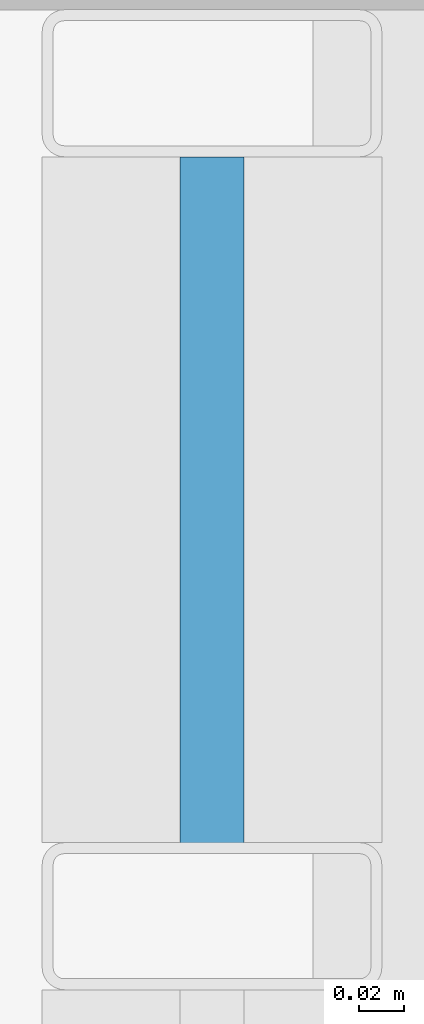
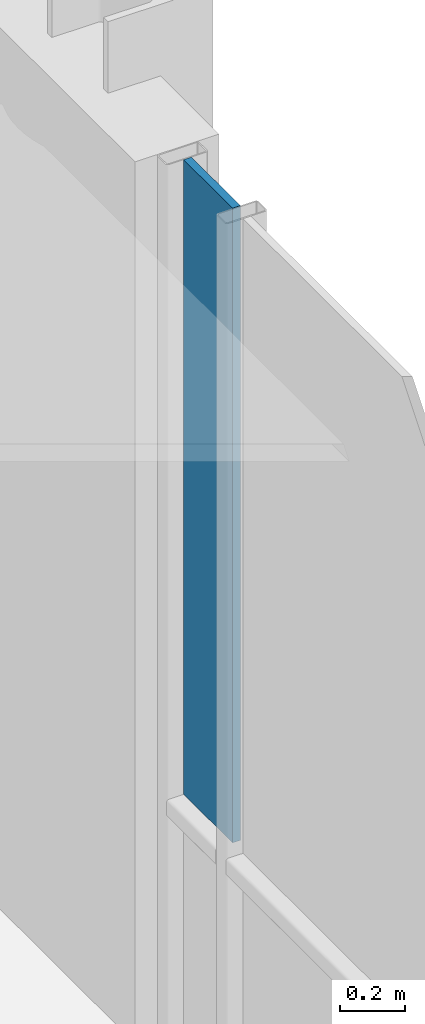
# One storey, part 23 of 35: 1 plate, 1 element without a shape of its own.
"""IFC4 building model written with IfcOpenShell, lengths in metres."""

from ifc_helpers import new_model, si_unit, direction, frame, origin, origin_2d, place, context, subcontext, project, spatial, rectangle, extrude, material, layer, layer_set, type_object, element, aggregate, save


model = new_model("IFC4")

# Units and contexts
model_context = context("Model", 3, precision=1e-05, world=origin(), true_north=direction((0.0, 1.0)))
body_context = subcontext(model_context, "Body", "Model", "MODEL_VIEW")
ifc_project = project(units=[si_unit("LENGTHUNIT", "METRE"), si_unit("AREAUNIT", "SQUARE_METRE"), si_unit("VOLUMEUNIT", "CUBIC_METRE"), si_unit("PLANEANGLEUNIT", "RADIAN"), si_unit("MASSUNIT", "GRAM", prefix="KILO")], contexts=[model_context])

# Site, building, storey
site_placement = place(None, origin())
site = spatial("IfcSite", under=ifc_project, at=site_placement, CompositionType="ELEMENT")
building_placement = place(site_placement, origin())
building = spatial("IfcBuilding", under=site, at=building_placement, Name="Brevholm Reach", CompositionType="ELEMENT")
storey_placement = place(building_placement, frame((0.0, 0.0, 214.39990234375)))
storey = spatial("IfcBuildingStorey", under=building, at=storey_placement, Name="L65", CompositionType="ELEMENT", Elevation=214.39990234375)

# Curtain wall, plate
ifc_material_1 = material(Name="Dark Anodised Aluminium 6063-T6 and Solar-Control Glass", Category="aluminium")
ifc_layer_1 = layer(ifc_material_1, 0.14990234375)
ifc_layer_set_1 = layer_set([ifc_layer_1], Name="Dark Anodised Aluminium 6063-T6 and Solar-Control Glass")
curtain_wall_type = type_object("IfcCurtainWallType", Name="CW-01", PredefinedType="NOTDEFINED", material=ifc_layer_set_1)
curtain_wall_placement = place(storey_placement, origin())
curtain_wall = element("IfcCurtainWall", 1, at=curtain_wall_placement, inside=storey, type_object=curtain_wall_type, Name="L65 Curtain Wall CW-01", PredefinedType="NOTDEFINED")
ifc_material_2 = material(Name="Dark Solar-Control Double-Glazed IGU Glass", Category="glass")
ifc_layer_2 = layer(ifc_material_2, 0.028076171875)
ifc_layer_set_2 = layer_set([ifc_layer_2], Name="Dark Solar-Control Double-Glazed IGU Glass")
plate_type = type_object("IfcPlateType", Name="CWP-GLZ-28", PredefinedType="CURTAIN_PANEL", material=ifc_layer_set_2)
plate_placement = place(storey_placement, frame((59.85009765625, 22.733642578125, 0.9326171875), z_axis=(0.0, 0.0, 1.0), x_axis=(0.0, 1.0, 0.0)))
plate = element("IfcPlate", 2, at=plate_placement, type_object=plate_type, Name="CP-01 Glazing Panel 5.2", PredefinedType="CURTAIN_PANEL", context=body_context, shape_type="SweptSolid", body=[
    extrude(rectangle(XDim=0.302490234375, YDim=0.028076171875, at=origin_2d()), origin(), (0.0, 0.0, 1.0), 2.3974609375),
])
aggregate(curtain_wall, [plate])

save(model, "model.ifc")
